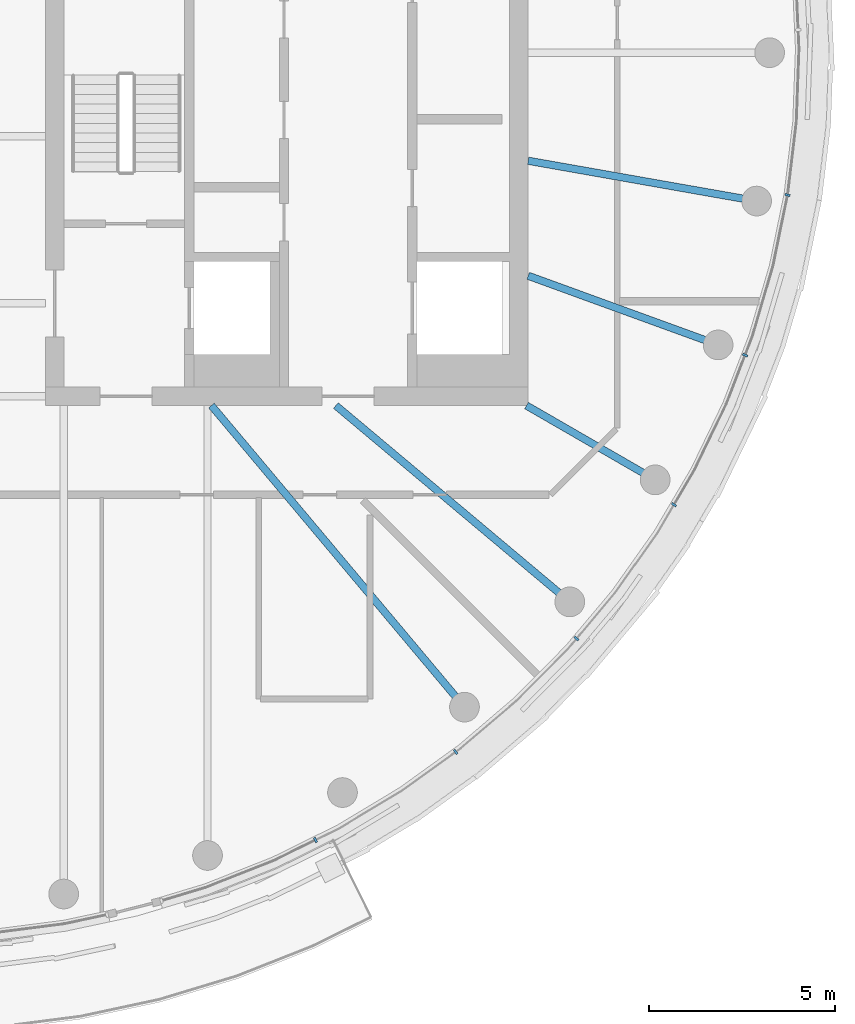
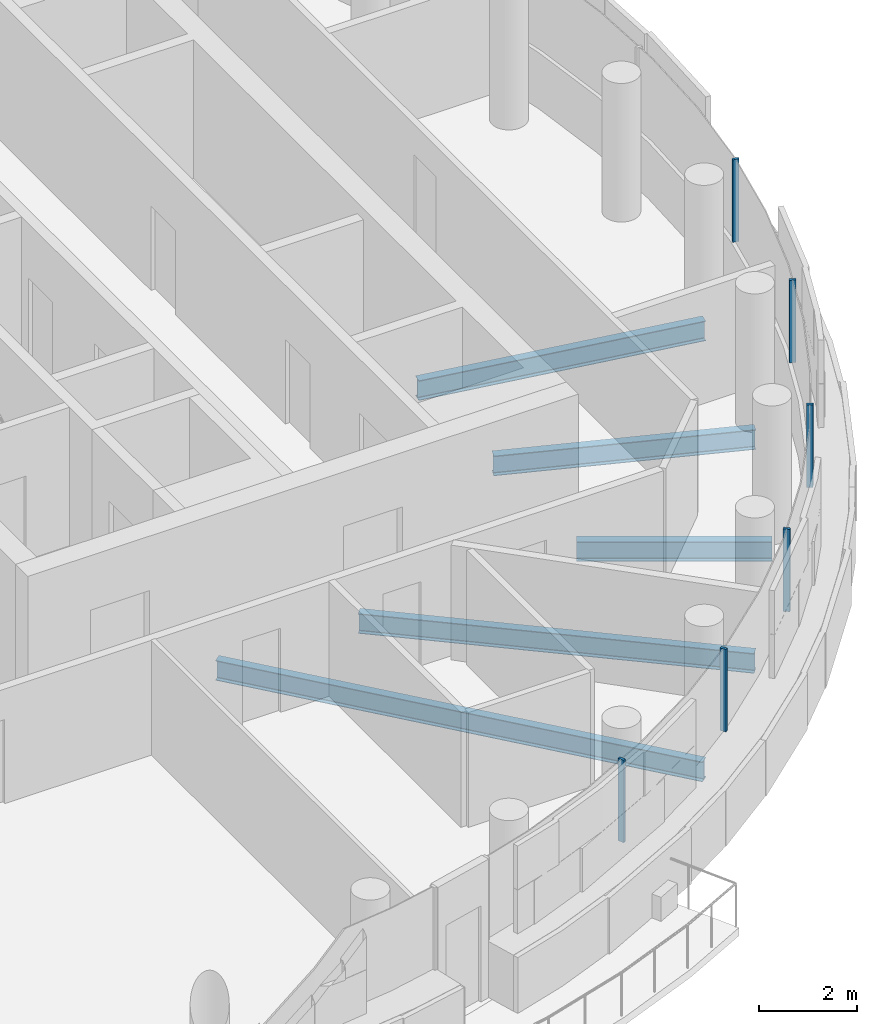
# One storey, part 6 of 21: 6 members, 5 beams, 1 element without a shape of its own.
"""IFC4 building model written with IfcOpenShell, lengths in metres."""

import ifcopenshell
import ifcopenshell.guid

model = None  # the IFC model being written
_history = None  # IfcOwnerHistory: only IFC2X3 demands one
_inside = {}  # id of a spatial element -> (the spatial element, [elements in it])
_under = {}  # id of a project, library or spatial element -> (it, [spatial elements below it])
_declared = {}  # id of a project -> (the project, [libraries it declares])
_typed = {}  # id of a type object -> (the type object, [elements of that type])
_made_of = {}  # id of a material, layer set ... -> (it, [elements and type objects made of it])


def new_model(schema):
    """Start an empty IFC model of exactly this schema.

    Asked for "IFC4X3", IfcOpenShell would pick the latest addendum, in which some entities
    have other attributes; the version numbers below select the first issue.
    IFC2X3 requires an IfcOwnerHistory on every rooted entity: one is made here for all.
    """
    global model, _history
    if schema == "IFC4X3":
        model = ifcopenshell.file(schema_version=(4, 3, 0, 0))
    else:
        model = ifcopenshell.file(schema=schema)
    _inside.clear()
    _under.clear()
    _declared.clear()
    _typed.clear()
    _made_of.clear()
    _history = None
    if model.schema == "IFC2X3":
        org = make("IfcOrganization", Name="unknown")
        user = make(
            "IfcPersonAndOrganization",
            ThePerson=make("IfcPerson", FamilyName="unknown"),
            TheOrganization=org,
        )
        app = make(
            "IfcApplication",
            ApplicationDeveloper=org,
            Version="unknown",
            ApplicationFullName="unknown",
            ApplicationIdentifier="unknown",
        )
        _history = make(
            "IfcOwnerHistory",
            OwningUser=user,
            OwningApplication=app,
            ChangeAction="ADDED",
            CreationDate=0,
        )
    return model


def make(cls, **values):
    """One entity of the class cls with the attributes given. An attribute that is None is left unset."""
    return model.create_entity(
        cls, **{name: value for name, value in values.items() if value is not None}
    )


def rooted(cls, **values):
    """An entity with a GlobalId (a new one), such as an element, a storey or a relation."""
    return make(cls, GlobalId=ifcopenshell.guid.new(), OwnerHistory=_history, **values)


def si_unit(unit_type, name, prefix=None):
    """IfcSIUnit, for example si_unit("LENGTHUNIT", "METRE", prefix="MILLI")."""
    return make("IfcSIUnit", UnitType=unit_type, Prefix=prefix, Name=name)


def assignment(units):
    """IfcUnitAssignment: the units of a project."""
    return None if units is None else make("IfcUnitAssignment", Units=units)


def point(xyz):
    """IfcCartesianPoint."""
    return None if xyz is None else make("IfcCartesianPoint", Coordinates=xyz)


def direction(xyz):
    """IfcDirection."""
    return None if xyz is None else make("IfcDirection", DirectionRatios=xyz)


def frame(location, z_axis=None, x_axis=None):
    """IfcAxis2Placement3D, a coordinate frame: its origin and axes. An axis left out is left unset."""
    return make(
        "IfcAxis2Placement3D",
        Location=point(location),
        Axis=direction(z_axis),
        RefDirection=direction(x_axis),
    )


def frame_2d(location, x_axis=None):
    """IfcAxis2Placement2D, a coordinate frame in the plane: its origin and x axis."""
    return make(
        "IfcAxis2Placement2D", Location=point(location), RefDirection=direction(x_axis)
    )


def origin():
    """The frame at (0, 0, 0) with its axes left unset."""
    return frame((0.0, 0.0, 0.0))


def origin_2d():
    """The frame at (0, 0) in the plane with its x axis left unset."""
    return frame_2d((0.0, 0.0))


def place(relative_to, where):
    """IfcLocalPlacement: puts the frame where relative to a parent placement (None: the world)."""
    return make(
        "IfcLocalPlacement", PlacementRelTo=relative_to, RelativePlacement=where
    )


def context(
    kind, dimensions, precision=None, world=None, true_north=None, identifier=None
):
    """IfcGeometricRepresentationContext, for example the 3D "Model" context."""
    return make(
        "IfcGeometricRepresentationContext",
        ContextIdentifier=identifier,
        ContextType=kind,
        CoordinateSpaceDimension=dimensions,
        Precision=precision,
        WorldCoordinateSystem=world,
        TrueNorth=true_north,
    )


def subcontext(parent, identifier, kind, view, scale=None):
    """IfcGeometricRepresentationSubContext, for example "Body" below "Model"."""
    return make(
        "IfcGeometricRepresentationSubContext",
        ContextIdentifier=identifier,
        ContextType=kind,
        ParentContext=parent,
        TargetScale=scale,
        TargetView=view,
    )


def project(units=None, contexts=None):
    """IfcProject with its units and contexts."""
    return rooted(
        "IfcProject",
        Name="project",
        RepresentationContexts=contexts,
        UnitsInContext=assignment(units),
    )


def spatial(cls, under=None, at=None, **own):
    """A site, building, storey or space (cls), placed at a placement, below another one or the project."""
    s = rooted(cls, ObjectPlacement=at, **own)
    if under is not None:
        _under.setdefault(under.id(), (under, []))[1].append(s)
    return s


def profile(cls, at=None, kind="AREA", **sizes):
    """A parametric profile (cls). Its sizes go by their IFC names, for example OverallWidth=200.0."""
    return make(cls, ProfileType=kind, Position=at, **sizes)


def rectangle(**sizes):
    """IfcRectangleProfileDef."""
    return profile("IfcRectangleProfileDef", **sizes)


def i_section(**sizes):
    """IfcIShapeProfileDef."""
    return profile("IfcIShapeProfileDef", **sizes)


def extrude(swept, where, along, depth):
    """IfcExtrudedAreaSolid: the profile swept, set in the frame where, extruded along a direction by depth."""
    return make(
        "IfcExtrudedAreaSolid",
        SweptArea=swept,
        Position=where,
        ExtrudedDirection=direction(along),
        Depth=depth,
    )


def shape(context_of_items, identifier, shape_type, items):
    """IfcShapeRepresentation: the items that make up one representation, for example the "Body"."""
    return make(
        "IfcShapeRepresentation",
        ContextOfItems=context_of_items,
        RepresentationIdentifier=identifier,
        RepresentationType=shape_type,
        Items=items,
    )


def material(Name=None, Category=None):
    """IfcMaterial."""
    return make("IfcMaterial", Name=Name, Category=Category)


def layer(
    of_material, thickness, ventilated=None, Name=None, Category=None, Priority=None
):
    """IfcMaterialLayer: one layer of a wall or slab, of a material (None: an air gap)."""
    return make(
        "IfcMaterialLayer",
        Material=of_material,
        LayerThickness=thickness,
        IsVentilated=ventilated,
        Name=Name,
        Category=Category,
        Priority=Priority,
    )


def layer_set(layers, Name=None):
    """IfcMaterialLayerSet."""
    return make("IfcMaterialLayerSet", MaterialLayers=layers, LayerSetName=Name)


def material_profile(
    of_material, cross_section, Name=None, Category=None, Priority=None
):
    """IfcMaterialProfile: a cross section and its material."""
    return make(
        "IfcMaterialProfile",
        Name=Name,
        Material=of_material,
        Profile=cross_section,
        Priority=Priority,
        Category=Category,
    )


def profile_set(profiles, Name=None, composite=None):
    """IfcMaterialProfileSet."""
    return make(
        "IfcMaterialProfileSet",
        Name=Name,
        MaterialProfiles=profiles,
        CompositeProfile=composite,
    )


def made_of(thing, what):
    """Note that an element or type object is made of a material, layer set ...; save() writes the relation."""
    if what is not None:
        _made_of.setdefault(what.id(), (what, []))[1].append(thing)
    return thing


def type_object(cls, material=None, **own):
    """A type object (cls), such as IfcWallType, which elements share."""
    return made_of(rooted(cls, **own), material)


def element(
    cls,
    number,
    at=None,
    inside=None,
    cuts=None,
    type_object=None,
    material=None,
    context=None,
    identifier="Body",
    shape_type=None,
    held_by="IfcProductDefinitionShape",
    body=None,
    shapes=None,
    **own,
):
    """One element of the class cls, such as IfcWall. Its Tag is "e" and its number.

    at: its placement. inside: the storey or other place that contains it. cuts: it is an
    opening in that element (IfcRelVoidsElement). A single representation is given by context,
    identifier, shape_type and body (its items); several are given by shapes. held_by: the class
    of the entity that holds the representations. save() writes the other relations.
    """
    e = rooted(cls, Tag="e%d" % number, ObjectPlacement=at, **own)
    if body is not None:
        shapes = [shape(context, identifier, shape_type, body)]
    if shapes is not None:
        e.Representation = make(held_by, Representations=shapes)
    if inside is not None:
        _inside.setdefault(inside.id(), (inside, []))[1].append(e)
    if cuts is not None:
        rooted(
            "IfcRelVoidsElement", RelatingBuildingElement=cuts, RelatedOpeningElement=e
        )
    if type_object is not None:
        _typed.setdefault(type_object.id(), (type_object, []))[1].append(e)
    return made_of(e, material)


def aggregate(whole, parts):
    """IfcRelAggregates: a whole, such as a stair, and the parts it consists of."""
    return rooted("IfcRelAggregates", RelatingObject=whole, RelatedObjects=parts)


def save(model, path):
    """Write the relations noted so far, then the file.

    IfcRelAggregates (storeys below a building ...), IfcRelContainedInSpatialStructure (elements
    in a storey), IfcRelDefinesByType, IfcRelAssociatesMaterial and IfcRelDeclares: one each for
    every whole, place, type object, material and project.
    """
    for whole, parts in _under.values():
        aggregate(whole, parts)
    for where, things in _inside.values():
        rooted(
            "IfcRelContainedInSpatialStructure",
            RelatedElements=things,
            RelatingStructure=where,
        )
    for kind, things in _typed.values():
        rooted("IfcRelDefinesByType", RelatedObjects=things, RelatingType=kind)
    for what, things in _made_of.values():
        rooted("IfcRelAssociatesMaterial", RelatedObjects=things, RelatingMaterial=what)
    for by, libraries in _declared.values():
        rooted("IfcRelDeclares", RelatingContext=by, RelatedDefinitions=libraries)
    model.write(path)


model = new_model("IFC4")

# Units and contexts
model_context = context("Model", 3, precision=1e-05, world=origin(), true_north=direction((0.0, 1.0)))
body_context = subcontext(model_context, "Body", "Model", "MODEL_VIEW")
ifc_project = project(units=[si_unit("LENGTHUNIT", "METRE"), si_unit("AREAUNIT", "SQUARE_METRE"), si_unit("VOLUMEUNIT", "CUBIC_METRE"), si_unit("PLANEANGLEUNIT", "RADIAN"), si_unit("MASSUNIT", "GRAM", prefix="KILO")], contexts=[model_context])

# Site, building, storey
site_placement = place(None, origin())
site = spatial("IfcSite", under=ifc_project, at=site_placement, CompositionType="ELEMENT")
building_placement = place(site_placement, origin())
building = spatial("IfcBuilding", under=site, at=building_placement, Name="Tamarind Cross Interchange Tower", CompositionType="ELEMENT")
storey_placement = place(building_placement, frame((0.0, 0.0, 260.39990234375)))
storey = spatial("IfcBuildingStorey", under=building, at=storey_placement, Name="L66", CompositionType="ELEMENT", Elevation=260.39990234375)

# Beams
ifc_material_1 = material(Name="Steel Q355B", Category="steel")
ifc_material_profile_1 = material_profile(ifc_material_1, i_section(OverallWidth=0.198974609375, OverallDepth=0.49609375, WebThickness=0.009033203125, FlangeThickness=0.013916015625, FilletRadius=0.012939453125, at=origin_2d()), Name="HN 496x199x9x14")
ifc_profile_set_1 = profile_set([ifc_material_profile_1], Name="Steel Q355B")
beam_type = type_object("IfcBeamType", Name="Composite beam HN 496x199x9x14 Q355B", PredefinedType="BEAM", material=ifc_profile_set_1)
beam_1_placement = place(storey_placement, frame((14.7841796875, -17.619140625, -0.387939453125), z_axis=(-0.642786293979, 0.766045547127, 0.0), x_axis=(-0.766045547127, -0.642786293979, 0.0)))
element("IfcBeam", 1, at=beam_1_placement, inside=storey, type_object=beam_type, Name="Beam HH31", PredefinedType="BEAM", context=body_context, shape_type="SweptSolid", body=[
    extrude(i_section(OverallWidth=0.198974609375, OverallDepth=0.49609375, WebThickness=0.009033203125, FlangeThickness=0.013916015625, FilletRadius=0.012939453125, at=origin_2d()), origin(), (0.0, 0.0, 1.0), 10.598876953125),
])
beam_2_placement = place(storey_placement, frame((17.619140625, -14.7841796875, -0.387939453125), z_axis=(-0.766040580814, 0.642792212574, 0.0), x_axis=(-0.642792212574, -0.766040580814, 0.0)))
element("IfcBeam", 2, at=beam_2_placement, inside=storey, type_object=beam_type, Name="Beam HH32", PredefinedType="BEAM", context=body_context, shape_type="SweptSolid", body=[
    extrude(i_section(OverallWidth=0.198974609375, OverallDepth=0.49609375, WebThickness=0.009033203125, FlangeThickness=0.013916015625, FilletRadius=0.012939453125, at=origin_2d()), origin(), (0.0, 0.0, 1.0), 8.220703125),
])
beam_3_placement = place(storey_placement, frame((19.918701171875, -11.5, -0.387939453125), z_axis=(-0.866026010844, 0.49999894854, 0.0), x_axis=(-0.49999894854, -0.866026010844, 0.0)))
element("IfcBeam", 3, at=beam_3_placement, inside=storey, type_object=beam_type, Name="Beam HH33", PredefinedType="BEAM", context=body_context, shape_type="SweptSolid", body=[
    extrude(i_section(OverallWidth=0.198974609375, OverallDepth=0.49609375, WebThickness=0.009033203125, FlangeThickness=0.013916015625, FilletRadius=0.012939453125, at=origin_2d()), origin(), (0.0, 0.0, 1.0), 4.0),
])
beam_4_placement = place(storey_placement, frame((21.613037109375, -7.866455078125, -0.387939453125), z_axis=(-0.939701685589, 0.341995236956, 0.0), x_axis=(-0.341995236956, -0.939701685589, 0.0)))
element("IfcBeam", 4, at=beam_4_placement, inside=storey, type_object=beam_type, Name="Beam HH34", PredefinedType="BEAM", context=body_context, shape_type="SweptSolid", body=[
    extrude(i_section(OverallWidth=0.198974609375, OverallDepth=0.49609375, WebThickness=0.009033203125, FlangeThickness=0.013916015625, FilletRadius=0.012939453125, at=origin_2d()), origin(), (0.0, 0.0, 1.0), 5.441162109375),
])
beam_5_placement = place(storey_placement, frame((22.650634765625, -3.993896484375, -0.387939453125), z_axis=(-0.984809127561, 0.173640382036, 0.0), x_axis=(-0.173640382036, -0.984809127561, 0.0)))
element("IfcBeam", 5, at=beam_5_placement, inside=storey, type_object=beam_type, Name="Beam HH35", PredefinedType="BEAM", context=body_context, shape_type="SweptSolid", body=[
    extrude(i_section(OverallWidth=0.198974609375, OverallDepth=0.49609375, WebThickness=0.009033203125, FlangeThickness=0.013916015625, FilletRadius=0.012939453125, at=origin_2d()), origin(), (0.0, 0.0, 1.0), 6.24560546875),
])

# Curtain wall, members
ifc_material_2 = material(Name="Aluminium 6063-T6", Category="aluminium")
ifc_layer = layer(ifc_material_2, 0.139892578125)
ifc_layer_set = layer_set([ifc_layer], Name="Aluminium 6063-T6")
curtain_wall_type = type_object("IfcCurtainWallType", Name="Hotel curtain wall, 4.5 m bays", PredefinedType="NOTDEFINED", material=ifc_layer_set)
curtain_wall_placement = place(storey_placement, origin())
curtain_wall = element("IfcCurtainWall", 6, at=curtain_wall_placement, inside=storey, type_object=curtain_wall_type, Name="CWS-L66-01", PredefinedType="NOTDEFINED")
ifc_material_profile_2 = material_profile(ifc_material_2, rectangle(XDim=0.06005859375, YDim=0.139892578125, at=origin_2d()), Name="Mullion CW2")
ifc_profile_set_2 = profile_set([ifc_material_profile_2], Name="Aluminium 6063-T6")
member_type = type_object("IfcMemberType", Name="Mullion CW2", PredefinedType="MULLION", material=ifc_profile_set_2)
member_1_placement = place(storey_placement, frame((10.771728515625, -21.197021484375, 1.400146484375), z_axis=(0.0, 0.0, 1.0), x_axis=(0.896492548518, 0.443058811505, 0.0)))
member_1 = element("IfcMember", 7, at=member_1_placement, type_object=member_type, Name="CWM-L66-01-17", PredefinedType="MULLION", context=body_context, shape_type="SweptSolid", body=[
    extrude(rectangle(XDim=0.06005859375, YDim=0.139892578125, at=origin_2d()), origin(), (0.0, 0.0, 1.0), 2.06005859375),
])
member_2_placement = place(storey_placement, frame((14.546630859375, -18.822998046875, 1.400146484375), z_axis=(0.0, 0.0, 1.0), x_axis=(0.811340475102, 0.584573890505, 0.0)))
member_2 = element("IfcMember", 8, at=member_2_placement, type_object=member_type, Name="CWM-L66-01-18", PredefinedType="MULLION", context=body_context, shape_type="SweptSolid", body=[
    extrude(rectangle(XDim=0.06005859375, YDim=0.139892578125, at=origin_2d()), origin(), (0.0, 0.0, 1.0), 2.06005859375),
])
member_3_placement = place(storey_placement, frame((17.800537109375, -15.77392578125, 1.400146484375), z_axis=(0.0, 0.0, 1.0), x_axis=(0.643009266048, 0.765858396687, 0.0)))
member_3 = element("IfcMember", 9, at=member_3_placement, type_object=member_type, Name="CWM-L66-01-19", PredefinedType="MULLION", context=body_context, shape_type="SweptSolid", body=[
    extrude(rectangle(XDim=0.06005859375, YDim=0.139892578125, at=origin_2d()), origin(), (0.0, 0.0, 1.0), 2.06005859375),
])
member_4_placement = place(storey_placement, frame((20.42529296875, -12.169189453125, 1.400146484375), z_axis=(0.0, 0.0, 1.0), x_axis=(0.508183308752, 0.861248933065, 0.0)))
member_4 = element("IfcMember", 10, at=member_4_placement, type_object=member_type, Name="CWM-L66-01-20", PredefinedType="MULLION", context=body_context, shape_type="SweptSolid", body=[
    extrude(rectangle(XDim=0.06005859375, YDim=0.139892578125, at=origin_2d()), origin(), (0.0, 0.0, 1.0), 2.06005859375),
])
member_5_placement = place(storey_placement, frame((22.341552734375, -8.143310546875, 1.400146484375), z_axis=(0.0, 0.0, 1.0), x_axis=(0.359495435512, 0.933146843667, 0.0)))
member_5 = element("IfcMember", 11, at=member_5_placement, type_object=member_type, Name="CWM-L66-01-21", PredefinedType="MULLION", context=body_context, shape_type="SweptSolid", body=[
    extrude(rectangle(XDim=0.06005859375, YDim=0.139892578125, at=origin_2d()), origin(), (0.0, 0.0, 1.0), 2.06005859375),
])
member_6_placement = place(storey_placement, frame((23.484375, -3.832275390625, 1.400146484375), z_axis=(0.0, 0.0, 1.0), x_axis=(0.201001463943, 0.9795909409, 0.0)))
member_6 = element("IfcMember", 12, at=member_6_placement, type_object=member_type, Name="CWM-L66-01-22", PredefinedType="MULLION", context=body_context, shape_type="SweptSolid", body=[
    extrude(rectangle(XDim=0.06005859375, YDim=0.139892578125, at=origin_2d()), origin(), (0.0, 0.0, 1.0), 2.06005859375),
])
aggregate(curtain_wall, [member_1, member_2, member_3, member_4, member_5, member_6])

save(model, "model.ifc")
